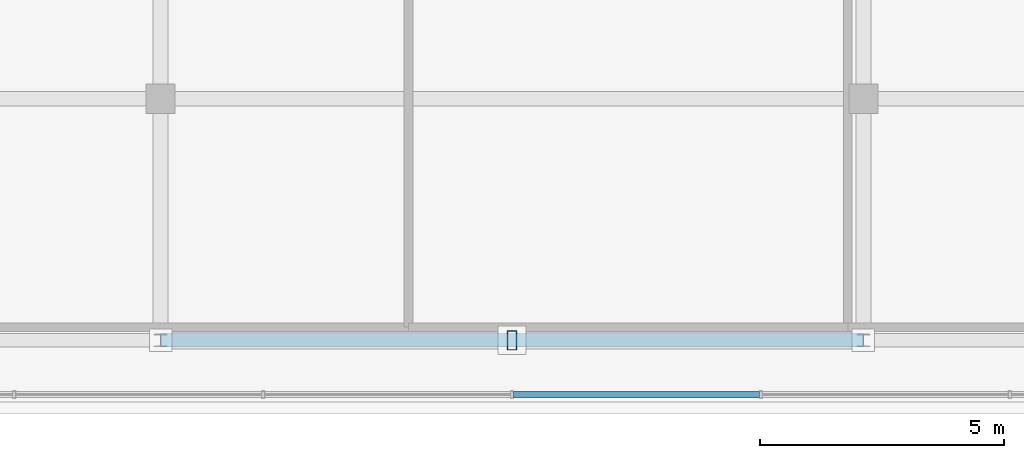
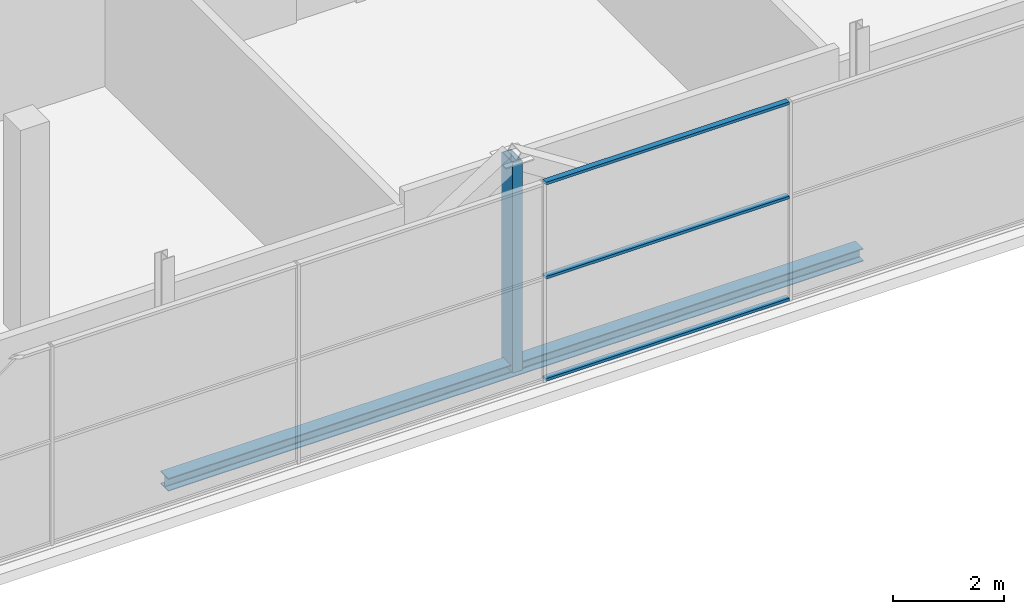
# One storey, part 9 of 28: 4 members, 1 beam, 1 element without a shape of its own.
"""IFC4 building model written with IfcOpenShell, lengths in metres."""

from ifc_helpers import new_model, si_unit, direction, frame, origin, origin_2d, place, context, subcontext, project, spatial, hollow_rectangle, i_section, extrude, source, transform, mapped, material, layer, layer_set, material_profile, profile_set, type_object, element, aggregate, save


model = new_model("IFC4")

# Units and contexts
model_context = context("Model", 3, precision=1e-05, world=origin(), true_north=direction((0.0, 1.0)))
body_context = subcontext(model_context, "Body", "Model", "MODEL_VIEW")
ifc_project = project(units=[si_unit("LENGTHUNIT", "METRE"), si_unit("AREAUNIT", "SQUARE_METRE"), si_unit("VOLUMEUNIT", "CUBIC_METRE"), si_unit("PLANEANGLEUNIT", "RADIAN"), si_unit("MASSUNIT", "GRAM", prefix="KILO")], contexts=[model_context])

# Site, building, storey
site_placement = place(None, origin())
site = spatial("IfcSite", under=ifc_project, at=site_placement, CompositionType="ELEMENT")
building_placement = place(site_placement, origin())
building = spatial("IfcBuilding", under=site, at=building_placement, Name="Zarnakvel Exchange Tower", CompositionType="ELEMENT")
storey_placement = place(building_placement, frame((0.0, 0.0, 290.0)))
storey = spatial("IfcBuildingStorey", under=building, at=storey_placement, Name="Crown L81", CompositionType="ELEMENT", Elevation=290.0)

# Beam
ifc_material_1 = material(Name="Steel S355", Category="steel")
ifc_material_profile_1 = material_profile(ifc_material_1, i_section(OverallWidth=0.280029296875, OverallDepth=0.280029296875, WebThickness=0.010498046875, FlangeThickness=0.01806640625, FilletRadius=0.02392578125, at=origin_2d()))
ifc_profile_set_1 = profile_set([ifc_material_profile_1], Name="Steel S355")
beam_type = type_object("IfcBeamType", Name="SP-04", PredefinedType="SPANDREL", material=ifc_profile_set_1)
beam_placement = place(storey_placement, frame((-7.199951171875, -14.550048828125, -0.360107421875), z_axis=(1.0, 0.0, 0.0), x_axis=(0.0, 1.0, 0.0)))
element("IfcBeam", 1, at=beam_placement, inside=storey, type_object=beam_type, Name="Crown L81 Tower E-W Frame Beam", PredefinedType="SPANDREL", context=body_context, shape_type="SweptSolid", body=[
    extrude(i_section(OverallWidth=0.280029296875, OverallDepth=0.280029296875, WebThickness=0.010498046875, FlangeThickness=0.01806640625, FilletRadius=0.02392578125, at=origin_2d()), origin(), (0.0, 0.0, 1.0), 14.39990234375),
])

# Member
ifc_material_profile_2 = material_profile(ifc_material_1, hollow_rectangle(XDim=0.199951171875, YDim=0.39990234375, WallThickness=0.01611328125, at=origin_2d()))
ifc_profile_set_2 = profile_set([ifc_material_profile_2], Name="Steel S355")
member_type_1 = type_object("IfcMemberType", Name="CB-ST1", PredefinedType="STRUT", material=ifc_profile_set_2)
shared_shape_1 = source(origin(), body_context, "Body", "SweptSolid", [
    extrude(hollow_rectangle(XDim=0.199951171875, YDim=0.39990234375, WallThickness=0.01611328125, at=origin_2d()), origin(), (0.0, 0.0, 1.0), 4.60009765625),
])
member_1_placement = place(storey_placement, frame((0.0, -14.550048828125, -0.360107421875), z_axis=(0.0, 0.0, 1.0), x_axis=(1.0, 0.0, 0.0)))
element("IfcMember", 2, at=member_1_placement, inside=storey, type_object=member_type_1, Name="Crown L81 Crown Frame Post (CB-ST1)", PredefinedType="STRUT", context=body_context, shape_type="MappedRepresentation", body=[
    mapped(shared_shape_1, transform((0.0, 0.0, 0.0), x_axis=(1.0, 0.0, 0.0), y_axis=(0.0, 1.0, 0.0), z_axis=(0.0, 0.0, 1.0), scale=1.0)),
])

# Curtain wall, members
ifc_material_2 = material(Name="Architectural Bronze Anodised Aluminium", Category="aluminium")
ifc_layer = layer(ifc_material_2, 0.14990234375)
ifc_layer_set = layer_set([ifc_layer], Name="Architectural Bronze Anodised Aluminium")
curtain_wall_type = type_object("IfcCurtainWallType", Name="CW-07", PredefinedType="NOTDEFINED", material=ifc_layer_set)
curtain_wall_placement = place(storey_placement, origin())
curtain_wall = element("IfcCurtainWall", 3, at=curtain_wall_placement, inside=storey, type_object=curtain_wall_type, Name="Crown L81 Curtain Wall CW-Crown L81-S (CW-07)", PredefinedType="NOTDEFINED")
ifc_material_profile_3 = material_profile(ifc_material_2, hollow_rectangle(XDim=0.1201171875, YDim=0.06005859375, WallThickness=0.00390625, at=origin_2d()))
ifc_profile_set_3 = profile_set([ifc_material_profile_3], Name="Architectural Bronze Anodised Aluminium")
member_type_2 = type_object("IfcMemberType", Name="CWT-07", PredefinedType="USERDEFINED", material=ifc_profile_set_3)
shared_shape_2 = source(origin(), body_context, "Body", "SweptSolid", [
    extrude(hollow_rectangle(XDim=0.1201171875, YDim=0.06005859375, WallThickness=0.00390625, at=origin_2d()), origin(), (0.0, 0.0, 1.0), 5.0400390625),
])
member_2_placement = place(storey_placement, frame((0.030029296875, -15.659912109375, 0.030029296875), z_axis=(1.0, 0.0, 0.0), x_axis=(0.0, 1.0, 0.0)))
member_2 = element("IfcMember", 4, at=member_2_placement, type_object=member_type_2, Name="CW-07 transom 4.1", ObjectType="TRANSOM", PredefinedType="USERDEFINED", context=body_context, shape_type="MappedRepresentation", body=[
    mapped(shared_shape_2, transform((0.0, 0.0, 0.0), x_axis=(1.0, 0.0, 0.0), y_axis=(0.0, 1.0, 0.0), z_axis=(0.0, 0.0, 1.0), scale=1.0)),
])
member_3_placement = place(storey_placement, frame((0.030029296875, -15.659912109375, 2.26708984375), z_axis=(1.0, 0.0, 0.0), x_axis=(0.0, 1.0, 0.0)))
member_3 = element("IfcMember", 5, at=member_3_placement, type_object=member_type_2, Name="CW-07 transom 4.2", ObjectType="TRANSOM", PredefinedType="USERDEFINED", context=body_context, shape_type="MappedRepresentation", body=[
    mapped(shared_shape_2, transform((0.0, 0.0, 0.0), x_axis=(1.0, 0.0, 0.0), y_axis=(0.0, 1.0, 0.0), z_axis=(0.0, 0.0, 1.0), scale=1.0)),
])
member_4_placement = place(storey_placement, frame((0.030029296875, -15.659912109375, 4.330078125), z_axis=(1.0, 0.0, 0.0), x_axis=(0.0, 1.0, 0.0)))
member_4 = element("IfcMember", 6, at=member_4_placement, type_object=member_type_2, Name="CW-07 transom 4.3", ObjectType="TRANSOM", PredefinedType="USERDEFINED", context=body_context, shape_type="MappedRepresentation", body=[
    mapped(shared_shape_2, transform((0.0, 0.0, 0.0), x_axis=(1.0, 0.0, 0.0), y_axis=(0.0, 1.0, 0.0), z_axis=(0.0, 0.0, 1.0), scale=1.0)),
])
aggregate(curtain_wall, [member_2, member_3, member_4])

save(model, "model.ifc")
